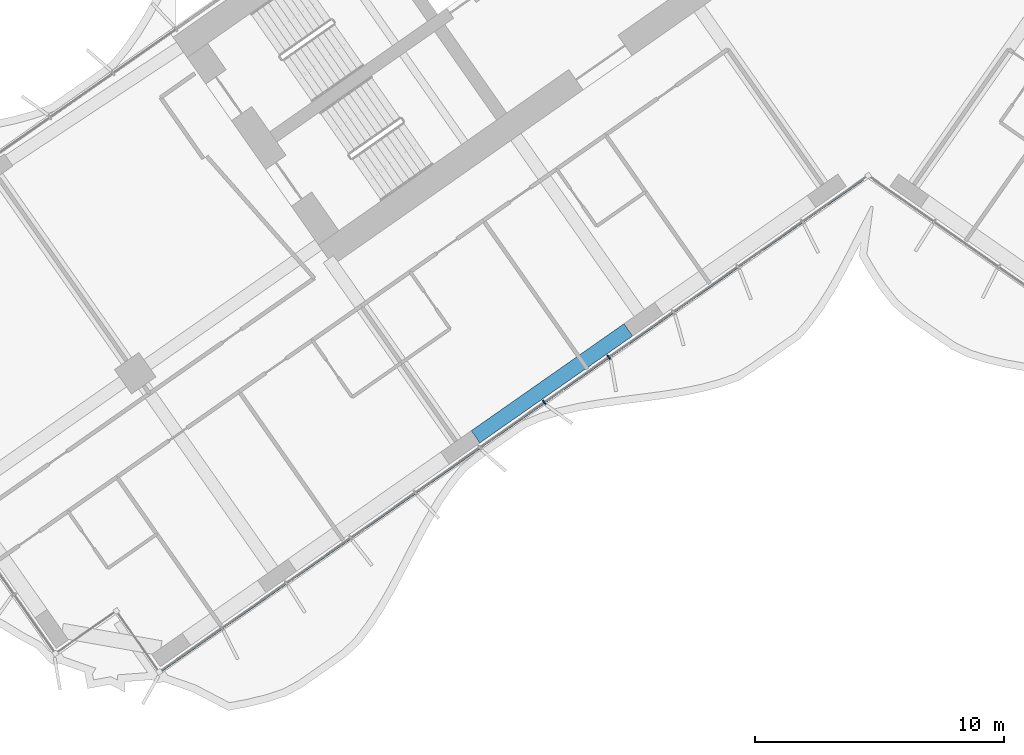
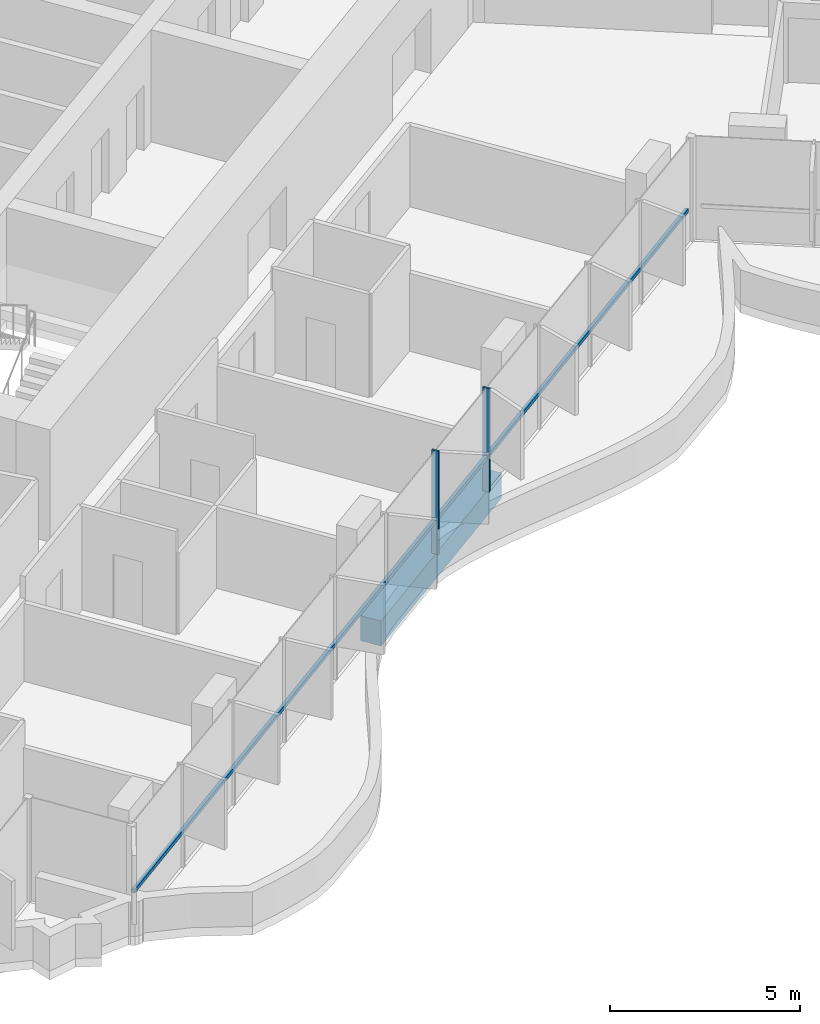
# One storey, part 3 of 23: 3 members, 1 beam, 1 element without a shape of its own.
"""IFC4 building model written with IfcOpenShell, lengths in metres."""

from ifc_helpers import new_model, si_unit, direction, frame, origin, origin_2d, place, context, subcontext, project, spatial, rectangle, extrude, material, material_profile, profile_set, type_object, element, aggregate, save


model = new_model("IFC4")

# Units and contexts
model_context = context("Model", 3, precision=1e-05, world=origin(), true_north=direction((0.0, 1.0)))
body_context = subcontext(model_context, "Body", "Model", "MODEL_VIEW")
ifc_project = project(units=[si_unit("LENGTHUNIT", "METRE"), si_unit("AREAUNIT", "SQUARE_METRE"), si_unit("VOLUMEUNIT", "CUBIC_METRE"), si_unit("PLANEANGLEUNIT", "RADIAN"), si_unit("MASSUNIT", "GRAM", prefix="KILO")], contexts=[model_context])

# Site, building, storey
site_placement = place(None, origin())
site = spatial("IfcSite", under=ifc_project, at=site_placement, CompositionType="ELEMENT")
building_placement = place(site_placement, origin())
building = spatial("IfcBuilding", under=site, at=building_placement, Name="Tel Ilan Convention Tower", CompositionType="ELEMENT")
storey_placement = place(building_placement, frame((0.0, 0.0, 112.10009765625)))
storey = spatial("IfcBuildingStorey", under=building, at=storey_placement, Name="L24", CompositionType="ELEMENT", Elevation=112.10009765625)

# Beam
ifc_material_1 = material(Name="Concrete C40/50", Category="concrete")
ifc_material_profile_1 = material_profile(ifc_material_1, rectangle(XDim=0.60009765625, YDim=0.800048828125, at=origin_2d()), Name="RC 600x800")
ifc_profile_set_1 = profile_set([ifc_material_profile_1], Name="Concrete C40/50")
beam_type = type_object("IfcBeamType", Name="Beam RC 600x800 Concrete C40/50", PredefinedType="BEAM", material=ifc_profile_set_1)
beam_placement = place(storey_placement, frame((-9.652099609375, -18.905029296875, -0.68017578125), z_axis=(-0.81915238829, -0.573575945067, 0.0), x_axis=(0.573575945067, -0.81915238829, 0.0)))
element("IfcBeam", 1, at=beam_placement, inside=storey, type_object=beam_type, Name="L24 beam W-W-F2-W-F3", PredefinedType="BEAM", context=body_context, shape_type="SweptSolid", body=[
    extrude(rectangle(XDim=0.60009765625, YDim=0.800048828125, at=origin_2d()), origin(), (0.0, 0.0, 1.0), 7.5),
])

# Curtain wall, members
ifc_material_2 = material(Name="Aluminium, bronze anodised", Category="aluminium")
curtain_wall_type = type_object("IfcCurtainWallType", Name="CW1 UNITISED CURTAIN WALL, HOTEL TINTED GLASS", PredefinedType="NOTDEFINED", material=ifc_material_2)
curtain_wall_placement = place(storey_placement, origin())
curtain_wall = element("IfcCurtainWall", 2, at=curtain_wall_placement, inside=storey, type_object=curtain_wall_type, Name="Curtain wall CW1-20.02", PredefinedType="NOTDEFINED")
ifc_material_3 = material(Name="Aluminium, bronze anodised", Category="aluminium")
ifc_material_profile_2 = material_profile(ifc_material_3, rectangle(XDim=0.06005859375, YDim=0.199951171875, at=origin_2d()), Name="CW MULLION 60x200")
ifc_profile_set_2 = profile_set([ifc_material_profile_2], Name="Aluminium, bronze anodised")
member_type_1 = type_object("IfcMemberType", Name="CW MULLION 60x200", PredefinedType="MULLION", material=ifc_profile_set_2)
member_1_placement = place(storey_placement, frame((-13.03271484375, -21.821533203125, 0.0), z_axis=(0.0, 0.0, 1.0), x_axis=(0.819152044289, 0.573576436351, 0.0)))
member_1 = element("IfcMember", 3, at=member_1_placement, type_object=member_type_1, Name="Mullion", PredefinedType="MULLION", context=body_context, shape_type="SweptSolid", body=[
    extrude(rectangle(XDim=0.06005859375, YDim=0.199951171875, at=origin_2d()), origin(), (0.0, 0.0, 1.0), 3.31982421875),
])
member_2_placement = place(storey_placement, frame((-10.4375, -20.004638671875, 0.0), z_axis=(0.0, 0.0, 1.0), x_axis=(0.819152044289, 0.573576436351, 0.0)))
member_2 = element("IfcMember", 4, at=member_2_placement, type_object=member_type_1, Name="Mullion", PredefinedType="MULLION", context=body_context, shape_type="SweptSolid", body=[
    extrude(rectangle(XDim=0.06005859375, YDim=0.199951171875, at=origin_2d()), origin(), (0.0, 0.0, 1.0), 3.31982421875),
])
ifc_material_4 = material(Name="Aluminium, bronze anodised", Category="aluminium")
ifc_material_profile_3 = material_profile(ifc_material_4, rectangle(XDim=0.10009765625, YDim=0.1201171875, at=origin_2d()), Name="CW TRANSOM 100x120")
ifc_profile_set_3 = profile_set([ifc_material_profile_3], Name="Aluminium, bronze anodised")
member_type_2 = type_object("IfcMemberType", Name="CW TRANSOM 100x120", PredefinedType="USERDEFINED", material=ifc_profile_set_3)
member_3_placement = place(storey_placement, frame((-28.439208984375, -32.609375, 1.099853515625), z_axis=(0.819151003602, 0.573577922604, 0.0), x_axis=(-0.573577922604, 0.819151003602, 0.0)))
member_3 = element("IfcMember", 5, at=member_3_placement, type_object=member_type_2, Name="Transom", ObjectType="TRANSOM", PredefinedType="USERDEFINED", context=body_context, shape_type="SweptSolid", body=[
    extrude(rectangle(XDim=0.10009765625, YDim=0.1201171875, at=origin_2d()), origin(), (0.0, 0.0, 1.0), 34.447998046875),
])
aggregate(curtain_wall, [member_1, member_2, member_3])

save(model, "model.ifc")
